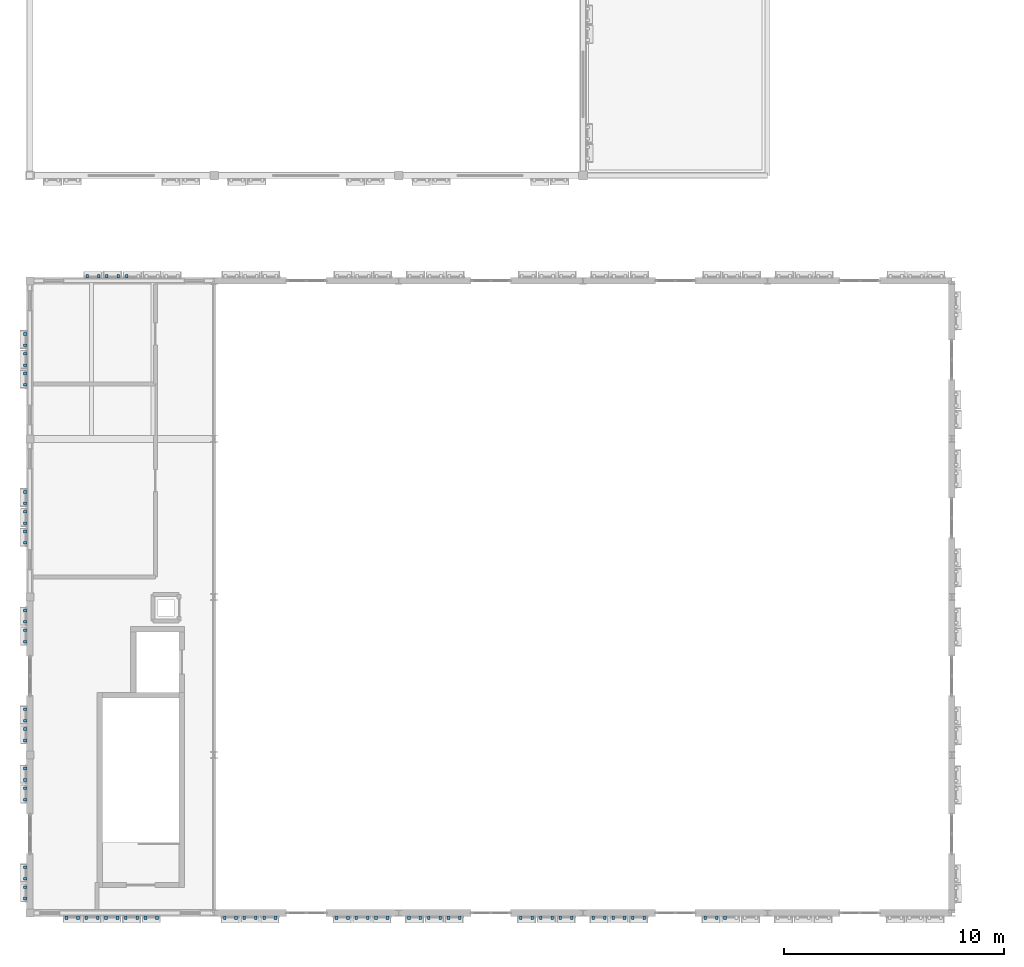
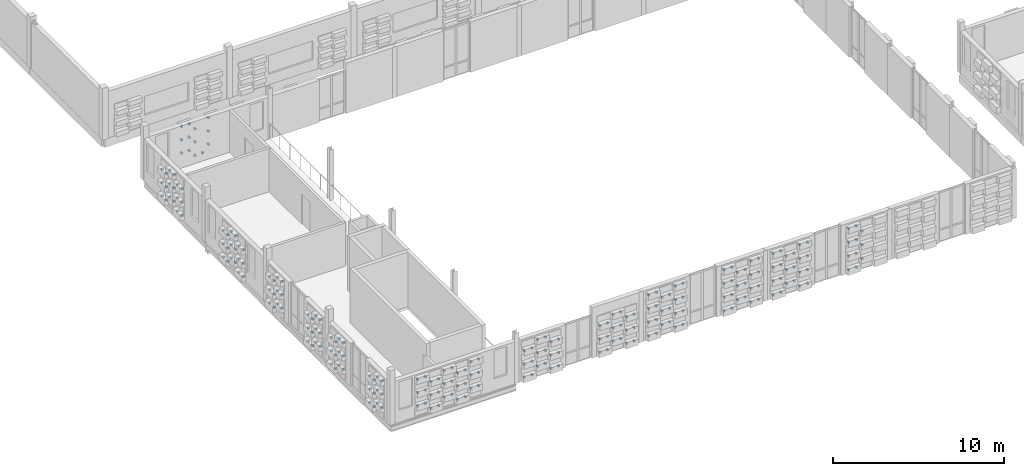
# One storey, part 45 of 57: 240 discrete accessories.
"""IFC4 building model written with IfcOpenShell, lengths in metres."""

from ifc_helpers import new_model, si_unit, direction, frame, origin, origin_2d, place, context, subcontext, project, spatial, rectangle, extrude, material, type_object, element, save


model = new_model("IFC4")

# Units and contexts
model_context = context("Model", 3, precision=1e-05, world=origin(), true_north=direction((0.0, 1.0)))
body_context = subcontext(model_context, "Body", "Model", "MODEL_VIEW")
ifc_project = project(units=[si_unit("LENGTHUNIT", "METRE"), si_unit("AREAUNIT", "SQUARE_METRE"), si_unit("VOLUMEUNIT", "CUBIC_METRE"), si_unit("PLANEANGLEUNIT", "RADIAN"), si_unit("MASSUNIT", "GRAM", prefix="KILO")], contexts=[model_context])

# Site, building, storey
site_placement = place(None, origin())
site = spatial("IfcSite", under=ifc_project, at=site_placement, CompositionType="ELEMENT")
building_placement = place(site_placement, origin())
building = spatial("IfcBuilding", under=site, at=building_placement, Name="Kahlenmark Community Centre", CompositionType="ELEMENT")
storey_placement = place(building_placement, frame((0.0, 0.0, 13.800048828125)))
storey = spatial("IfcBuildingStorey", under=building, at=storey_placement, Name="L03", CompositionType="ELEMENT", Elevation=13.800048828125)

# Discrete accessories
ifc_material = material(Name="Stainless steel 1.4401 rainscreen bracket", Category="steel")
discrete_accessory_type = type_object("IfcDiscreteAccessoryType", Name="DAT-BRACKET-TC", PredefinedType="BRACKET", material=ifc_material)
for number, where, z_axis, x_axis, name in (
    (1, (5.669921875, 8.590087890625, 0.732421875), (0.0, 0.0, 1.0), (1.0, 0.0, 0.0), "Terracotta cassette bracket 3377.1"),
    (2, (6.18994140625, 8.590087890625, 0.732421875), (0.0, 0.0, 1.0), (1.0, 0.0, 0.0), "Terracotta cassette bracket 3377.2"),
    (3, (5.669921875, 8.590087890625, 1.682373046875), (0.0, 0.0, 1.0), (1.0, 0.0, 0.0), "Terracotta cassette bracket 3379.1"),
    (4, (6.18994140625, 8.590087890625, 1.682373046875), (0.0, 0.0, 1.0), (1.0, 0.0, 0.0), "Terracotta cassette bracket 3379.2"),
    (5, (5.669921875, 8.590087890625, 2.63232421875), (0.0, 0.0, 1.0), (1.0, 0.0, 0.0), "Terracotta cassette bracket 3381.1"),
    (6, (6.18994140625, 8.590087890625, 2.63232421875), (0.0, 0.0, 1.0), (1.0, 0.0, 0.0), "Terracotta cassette bracket 3381.2"),
    (7, (6.570068359375, 8.590087890625, 0.25732421875), (0.0, 0.0, 1.0), (1.0, 0.0, 0.0), "Terracotta cassette bracket 3382.1"),
    (8, (7.090087890625, 8.590087890625, 0.25732421875), (0.0, 0.0, 1.0), (1.0, 0.0, 0.0), "Terracotta cassette bracket 3382.2"),
    (9, (6.570068359375, 8.590087890625, 1.207275390625), (0.0, 0.0, 1.0), (1.0, 0.0, 0.0), "Terracotta cassette bracket 3384.1"),
    (10, (7.090087890625, 8.590087890625, 1.207275390625), (0.0, 0.0, 1.0), (1.0, 0.0, 0.0), "Terracotta cassette bracket 3384.2"),
    (11, (6.570068359375, 8.590087890625, 2.157470703125), (0.0, 0.0, 1.0), (1.0, 0.0, 0.0), "Terracotta cassette bracket 3386.1"),
    (12, (7.090087890625, 8.590087890625, 2.157470703125), (0.0, 0.0, 1.0), (1.0, 0.0, 0.0), "Terracotta cassette bracket 3386.2"),
    (13, (7.469970703125, 8.590087890625, 0.732421875), (0.0, 0.0, 1.0), (1.0, 0.0, 0.0), "Terracotta cassette bracket 3389.1"),
    (14, (7.989990234375, 8.590087890625, 0.732421875), (0.0, 0.0, 1.0), (1.0, 0.0, 0.0), "Terracotta cassette bracket 3389.2"),
    (15, (7.469970703125, 8.590087890625, 1.682373046875), (0.0, 0.0, 1.0), (1.0, 0.0, 0.0), "Terracotta cassette bracket 3391.1"),
    (16, (7.989990234375, 8.590087890625, 1.682373046875), (0.0, 0.0, 1.0), (1.0, 0.0, 0.0), "Terracotta cassette bracket 3391.2"),
    (17, (7.469970703125, 8.590087890625, 2.63232421875), (0.0, 0.0, 1.0), (1.0, 0.0, 0.0), "Terracotta cassette bracket 3393.1"),
    (18, (7.989990234375, 8.590087890625, 2.63232421875), (0.0, 0.0, 1.0), (1.0, 0.0, 0.0), "Terracotta cassette bracket 3393.2"),
    (19, (8.3701171875, 8.590087890625, 0.25732421875), (0.0, 0.0, 1.0), (1.0, 0.0, 0.0), "Terracotta cassette bracket 3394.1"),
    (20, (8.889892578125, 8.590087890625, 0.25732421875), (0.0, 0.0, 1.0), (1.0, 0.0, 0.0), "Terracotta cassette bracket 3394.2"),
    (21, (8.3701171875, 8.590087890625, 1.207275390625), (0.0, 0.0, 1.0), (1.0, 0.0, 0.0), "Terracotta cassette bracket 3396.1"),
    (22, (8.889892578125, 8.590087890625, 1.207275390625), (0.0, 0.0, 1.0), (1.0, 0.0, 0.0), "Terracotta cassette bracket 3396.2"),
    (23, (8.3701171875, 8.590087890625, 2.157470703125), (0.0, 0.0, 1.0), (1.0, 0.0, 0.0), "Terracotta cassette bracket 3398.1"),
    (24, (8.889892578125, 8.590087890625, 2.157470703125), (0.0, 0.0, 1.0), (1.0, 0.0, 0.0), "Terracotta cassette bracket 3398.2"),
    (25, (9.27001953125, 8.590087890625, 0.732421875), (0.0, 0.0, 1.0), (1.0, 0.0, 0.0), "Terracotta cassette bracket 3401.1"),
    (26, (9.7900390625, 8.590087890625, 0.732421875), (0.0, 0.0, 1.0), (1.0, 0.0, 0.0), "Terracotta cassette bracket 3401.2"),
    (27, (9.27001953125, 8.590087890625, 1.682373046875), (0.0, 0.0, 1.0), (1.0, 0.0, 0.0), "Terracotta cassette bracket 3403.1"),
    (28, (9.7900390625, 8.590087890625, 1.682373046875), (0.0, 0.0, 1.0), (1.0, 0.0, 0.0), "Terracotta cassette bracket 3403.2"),
    (29, (9.27001953125, 8.590087890625, 2.63232421875), (0.0, 0.0, 1.0), (1.0, 0.0, 0.0), "Terracotta cassette bracket 3405.1"),
    (30, (9.7900390625, 8.590087890625, 2.63232421875), (0.0, 0.0, 1.0), (1.0, 0.0, 0.0), "Terracotta cassette bracket 3405.2"),
    (31, (12.8701171875, 8.590087890625, 0.25732421875), (0.0, 0.0, 1.0), (1.0, 0.0, 0.0), "Terracotta cassette bracket 3406.1"),
    (32, (13.389892578125, 8.590087890625, 0.25732421875), (0.0, 0.0, 1.0), (1.0, 0.0, 0.0), "Terracotta cassette bracket 3406.2"),
    (33, (12.8701171875, 8.590087890625, 1.207275390625), (0.0, 0.0, 1.0), (1.0, 0.0, 0.0), "Terracotta cassette bracket 3408.1"),
    (34, (13.389892578125, 8.590087890625, 1.207275390625), (0.0, 0.0, 1.0), (1.0, 0.0, 0.0), "Terracotta cassette bracket 3408.2"),
    (35, (12.8701171875, 8.590087890625, 2.157470703125), (0.0, 0.0, 1.0), (1.0, 0.0, 0.0), "Terracotta cassette bracket 3410.1"),
    (36, (13.389892578125, 8.590087890625, 2.157470703125), (0.0, 0.0, 1.0), (1.0, 0.0, 0.0), "Terracotta cassette bracket 3410.2"),
    (37, (13.77001953125, 8.590087890625, 0.732421875), (0.0, 0.0, 1.0), (1.0, 0.0, 0.0), "Terracotta cassette bracket 3413.1"),
    (38, (14.2900390625, 8.590087890625, 0.732421875), (0.0, 0.0, 1.0), (1.0, 0.0, 0.0), "Terracotta cassette bracket 3413.2"),
    (39, (13.77001953125, 8.590087890625, 1.682373046875), (0.0, 0.0, 1.0), (1.0, 0.0, 0.0), "Terracotta cassette bracket 3415.1"),
    (40, (14.2900390625, 8.590087890625, 1.682373046875), (0.0, 0.0, 1.0), (1.0, 0.0, 0.0), "Terracotta cassette bracket 3415.2"),
    (41, (13.77001953125, 8.590087890625, 2.63232421875), (0.0, 0.0, 1.0), (1.0, 0.0, 0.0), "Terracotta cassette bracket 3417.1"),
    (42, (14.2900390625, 8.590087890625, 2.63232421875), (0.0, 0.0, 1.0), (1.0, 0.0, 0.0), "Terracotta cassette bracket 3417.2"),
    (43, (14.669921875, 8.590087890625, 0.25732421875), (0.0, 0.0, 1.0), (1.0, 0.0, 0.0), "Terracotta cassette bracket 3418.1"),
    (44, (15.18994140625, 8.590087890625, 0.25732421875), (0.0, 0.0, 1.0), (1.0, 0.0, 0.0), "Terracotta cassette bracket 3418.2"),
    (45, (14.669921875, 8.590087890625, 1.207275390625), (0.0, 0.0, 1.0), (1.0, 0.0, 0.0), "Terracotta cassette bracket 3420.1"),
    (46, (15.18994140625, 8.590087890625, 1.207275390625), (0.0, 0.0, 1.0), (1.0, 0.0, 0.0), "Terracotta cassette bracket 3420.2"),
    (47, (14.669921875, 8.590087890625, 2.157470703125), (0.0, 0.0, 1.0), (1.0, 0.0, 0.0), "Terracotta cassette bracket 3422.1"),
    (48, (15.18994140625, 8.590087890625, 2.157470703125), (0.0, 0.0, 1.0), (1.0, 0.0, 0.0), "Terracotta cassette bracket 3422.2"),
    (49, (17.969970703125, 8.590087890625, 0.25732421875), (0.0, 0.0, 1.0), (1.0, 0.0, 0.0), "Terracotta cassette bracket 3424.1"),
    (50, (18.489990234375, 8.590087890625, 0.25732421875), (0.0, 0.0, 1.0), (1.0, 0.0, 0.0), "Terracotta cassette bracket 3424.2"),
    (51, (17.969970703125, 8.590087890625, 1.207275390625), (0.0, 0.0, 1.0), (1.0, 0.0, 0.0), "Terracotta cassette bracket 3426.1"),
    (52, (18.489990234375, 8.590087890625, 1.207275390625), (0.0, 0.0, 1.0), (1.0, 0.0, 0.0), "Terracotta cassette bracket 3426.2"),
    (53, (17.969970703125, 8.590087890625, 2.157470703125), (0.0, 0.0, 1.0), (1.0, 0.0, 0.0), "Terracotta cassette bracket 3428.1"),
    (54, (18.489990234375, 8.590087890625, 2.157470703125), (0.0, 0.0, 1.0), (1.0, 0.0, 0.0), "Terracotta cassette bracket 3428.2"),
    (55, (18.8701171875, 8.590087890625, 0.732421875), (0.0, 0.0, 1.0), (1.0, 0.0, 0.0), "Terracotta cassette bracket 3431.1"),
    (56, (19.389892578125, 8.590087890625, 0.732421875), (0.0, 0.0, 1.0), (1.0, 0.0, 0.0), "Terracotta cassette bracket 3431.2"),
    (57, (18.8701171875, 8.590087890625, 1.682373046875), (0.0, 0.0, 1.0), (1.0, 0.0, 0.0), "Terracotta cassette bracket 3433.1"),
    (58, (19.389892578125, 8.590087890625, 1.682373046875), (0.0, 0.0, 1.0), (1.0, 0.0, 0.0), "Terracotta cassette bracket 3433.2"),
    (59, (18.8701171875, 8.590087890625, 2.63232421875), (0.0, 0.0, 1.0), (1.0, 0.0, 0.0), "Terracotta cassette bracket 3435.1"),
    (60, (19.389892578125, 8.590087890625, 2.63232421875), (0.0, 0.0, 1.0), (1.0, 0.0, 0.0), "Terracotta cassette bracket 3435.2"),
    (61, (19.77001953125, 8.590087890625, 0.25732421875), (0.0, 0.0, 1.0), (1.0, 0.0, 0.0), "Terracotta cassette bracket 3436.1"),
    (62, (20.2900390625, 8.590087890625, 0.25732421875), (0.0, 0.0, 1.0), (1.0, 0.0, 0.0), "Terracotta cassette bracket 3436.2"),
    (63, (19.77001953125, 8.590087890625, 1.207275390625), (0.0, 0.0, 1.0), (1.0, 0.0, 0.0), "Terracotta cassette bracket 3438.1"),
    (64, (20.2900390625, 8.590087890625, 1.207275390625), (0.0, 0.0, 1.0), (1.0, 0.0, 0.0), "Terracotta cassette bracket 3438.2"),
    (65, (19.77001953125, 8.590087890625, 2.157470703125), (0.0, 0.0, 1.0), (1.0, 0.0, 0.0), "Terracotta cassette bracket 3440.1"),
    (66, (20.2900390625, 8.590087890625, 2.157470703125), (0.0, 0.0, 1.0), (1.0, 0.0, 0.0), "Terracotta cassette bracket 3440.2"),
    (67, (21.27001953125, 8.590087890625, 0.264892578125), (0.0, 0.0, 1.0), (1.0, 0.0, 0.0), "Terracotta cassette bracket 3442.1"),
    (68, (21.7900390625, 8.590087890625, 0.264892578125), (0.0, 0.0, 1.0), (1.0, 0.0, 0.0), "Terracotta cassette bracket 3442.2"),
    (69, (21.27001953125, 8.590087890625, 1.244873046875), (0.0, 0.0, 1.0), (1.0, 0.0, 0.0), "Terracotta cassette bracket 3444.1"),
    (70, (21.7900390625, 8.590087890625, 1.244873046875), (0.0, 0.0, 1.0), (1.0, 0.0, 0.0), "Terracotta cassette bracket 3444.2"),
    (71, (21.27001953125, 8.590087890625, 2.224853515625), (0.0, 0.0, 1.0), (1.0, 0.0, 0.0), "Terracotta cassette bracket 3446.1"),
    (72, (21.7900390625, 8.590087890625, 2.224853515625), (0.0, 0.0, 1.0), (1.0, 0.0, 0.0), "Terracotta cassette bracket 3446.2"),
    (73, (21.27001953125, 8.590087890625, 3.204833984375), (0.0, 0.0, 1.0), (1.0, 0.0, 0.0), "Terracotta cassette bracket 3448.1"),
    (74, (21.7900390625, 8.590087890625, 3.204833984375), (0.0, 0.0, 1.0), (1.0, 0.0, 0.0), "Terracotta cassette bracket 3448.2"),
    (75, (22.169921875, 8.590087890625, 0.7548828125), (0.0, 0.0, 1.0), (1.0, 0.0, 0.0), "Terracotta cassette bracket 3450.1"),
    (76, (22.68994140625, 8.590087890625, 0.7548828125), (0.0, 0.0, 1.0), (1.0, 0.0, 0.0), "Terracotta cassette bracket 3450.2"),
    (77, (22.169921875, 8.590087890625, 1.73486328125), (0.0, 0.0, 1.0), (1.0, 0.0, 0.0), "Terracotta cassette bracket 3452.1"),
    (78, (22.68994140625, 8.590087890625, 1.73486328125), (0.0, 0.0, 1.0), (1.0, 0.0, 0.0), "Terracotta cassette bracket 3452.2"),
    (79, (22.169921875, 8.590087890625, 2.71484375), (0.0, 0.0, 1.0), (1.0, 0.0, 0.0), "Terracotta cassette bracket 3454.1"),
    (80, (22.68994140625, 8.590087890625, 2.71484375), (0.0, 0.0, 1.0), (1.0, 0.0, 0.0), "Terracotta cassette bracket 3454.2"),
    (81, (23.070068359375, 8.590087890625, 0.264892578125), (0.0, 0.0, 1.0), (1.0, 0.0, 0.0), "Terracotta cassette bracket 3456.1"),
    (82, (23.590087890625, 8.590087890625, 0.264892578125), (0.0, 0.0, 1.0), (1.0, 0.0, 0.0), "Terracotta cassette bracket 3456.2"),
    (83, (23.070068359375, 8.590087890625, 1.244873046875), (0.0, 0.0, 1.0), (1.0, 0.0, 0.0), "Terracotta cassette bracket 3458.1"),
    (84, (23.590087890625, 8.590087890625, 1.244873046875), (0.0, 0.0, 1.0), (1.0, 0.0, 0.0), "Terracotta cassette bracket 3458.2"),
    (85, (23.070068359375, 8.590087890625, 2.224853515625), (0.0, 0.0, 1.0), (1.0, 0.0, 0.0), "Terracotta cassette bracket 3460.1"),
    (86, (23.590087890625, 8.590087890625, 2.224853515625), (0.0, 0.0, 1.0), (1.0, 0.0, 0.0), "Terracotta cassette bracket 3460.2"),
    (87, (23.070068359375, 8.590087890625, 3.204833984375), (0.0, 0.0, 1.0), (1.0, 0.0, 0.0), "Terracotta cassette bracket 3462.1"),
    (88, (23.590087890625, 8.590087890625, 3.204833984375), (0.0, 0.0, 1.0), (1.0, 0.0, 0.0), "Terracotta cassette bracket 3462.2"),
    (89, (26.3701171875, 8.590087890625, 0.264892578125), (0.0, 0.0, 1.0), (1.0, 0.0, 0.0), "Terracotta cassette bracket 3463.1"),
    (90, (26.889892578125, 8.590087890625, 0.264892578125), (0.0, 0.0, 1.0), (1.0, 0.0, 0.0), "Terracotta cassette bracket 3463.2"),
    (91, (26.3701171875, 8.590087890625, 1.244873046875), (0.0, 0.0, 1.0), (1.0, 0.0, 0.0), "Terracotta cassette bracket 3465.1"),
    (92, (26.889892578125, 8.590087890625, 1.244873046875), (0.0, 0.0, 1.0), (1.0, 0.0, 0.0), "Terracotta cassette bracket 3465.2"),
    (93, (26.3701171875, 8.590087890625, 2.224853515625), (0.0, 0.0, 1.0), (1.0, 0.0, 0.0), "Terracotta cassette bracket 3467.1"),
    (94, (26.889892578125, 8.590087890625, 2.224853515625), (0.0, 0.0, 1.0), (1.0, 0.0, 0.0), "Terracotta cassette bracket 3467.2"),
    (95, (26.3701171875, 8.590087890625, 3.204833984375), (0.0, 0.0, 1.0), (1.0, 0.0, 0.0), "Terracotta cassette bracket 3469.1"),
    (96, (26.889892578125, 8.590087890625, 3.204833984375), (0.0, 0.0, 1.0), (1.0, 0.0, 0.0), "Terracotta cassette bracket 3469.2"),
    (97, (27.27001953125, 8.590087890625, 0.7548828125), (0.0, 0.0, 1.0), (1.0, 0.0, 0.0), "Terracotta cassette bracket 3471.1"),
    (98, (27.7900390625, 8.590087890625, 0.7548828125), (0.0, 0.0, 1.0), (1.0, 0.0, 0.0), "Terracotta cassette bracket 3471.2"),
    (99, (27.27001953125, 8.590087890625, 1.73486328125), (0.0, 0.0, 1.0), (1.0, 0.0, 0.0), "Terracotta cassette bracket 3473.1"),
    (100, (27.7900390625, 8.590087890625, 1.73486328125), (0.0, 0.0, 1.0), (1.0, 0.0, 0.0), "Terracotta cassette bracket 3473.2"),
    (101, (27.27001953125, 8.590087890625, 2.71484375), (0.0, 0.0, 1.0), (1.0, 0.0, 0.0), "Terracotta cassette bracket 3475.1"),
    (102, (27.7900390625, 8.590087890625, 2.71484375), (0.0, 0.0, 1.0), (1.0, 0.0, 0.0), "Terracotta cassette bracket 3475.2"),
    (103, (28.169921875, 8.590087890625, 0.264892578125), (0.0, 0.0, 1.0), (1.0, 0.0, 0.0), "Terracotta cassette bracket 3477.1"),
    (104, (28.68994140625, 8.590087890625, 0.264892578125), (0.0, 0.0, 1.0), (1.0, 0.0, 0.0), "Terracotta cassette bracket 3477.2"),
    (105, (28.169921875, 8.590087890625, 1.244873046875), (0.0, 0.0, 1.0), (1.0, 0.0, 0.0), "Terracotta cassette bracket 3479.1"),
    (106, (28.68994140625, 8.590087890625, 1.244873046875), (0.0, 0.0, 1.0), (1.0, 0.0, 0.0), "Terracotta cassette bracket 3479.2"),
    (107, (28.169921875, 8.590087890625, 2.224853515625), (0.0, 0.0, 1.0), (1.0, 0.0, 0.0), "Terracotta cassette bracket 3481.1"),
    (108, (28.68994140625, 8.590087890625, 2.224853515625), (0.0, 0.0, 1.0), (1.0, 0.0, 0.0), "Terracotta cassette bracket 3481.2"),
    (109, (28.169921875, 8.590087890625, 3.204833984375), (0.0, 0.0, 1.0), (1.0, 0.0, 0.0), "Terracotta cassette bracket 3483.1"),
    (110, (28.68994140625, 8.590087890625, 3.204833984375), (0.0, 0.0, 1.0), (1.0, 0.0, 0.0), "Terracotta cassette bracket 3483.2"),
    (111, (29.669921875, 8.590087890625, 0.264892578125), (0.0, 0.0, 1.0), (1.0, 0.0, 0.0), "Terracotta cassette bracket 3484.1"),
    (112, (30.18994140625, 8.590087890625, 0.264892578125), (0.0, 0.0, 1.0), (1.0, 0.0, 0.0), "Terracotta cassette bracket 3484.2"),
    (113, (29.669921875, 8.590087890625, 1.244873046875), (0.0, 0.0, 1.0), (1.0, 0.0, 0.0), "Terracotta cassette bracket 3486.1"),
    (114, (30.18994140625, 8.590087890625, 1.244873046875), (0.0, 0.0, 1.0), (1.0, 0.0, 0.0), "Terracotta cassette bracket 3486.2"),
    (115, (29.669921875, 8.590087890625, 2.224853515625), (0.0, 0.0, 1.0), (1.0, 0.0, 0.0), "Terracotta cassette bracket 3488.1"),
    (116, (30.18994140625, 8.590087890625, 2.224853515625), (0.0, 0.0, 1.0), (1.0, 0.0, 0.0), "Terracotta cassette bracket 3488.2"),
    (117, (29.669921875, 8.590087890625, 3.204833984375), (0.0, 0.0, 1.0), (1.0, 0.0, 0.0), "Terracotta cassette bracket 3490.1"),
    (118, (30.18994140625, 8.590087890625, 3.204833984375), (0.0, 0.0, 1.0), (1.0, 0.0, 0.0), "Terracotta cassette bracket 3490.2"),
    (119, (30.570068359375, 8.590087890625, 0.7548828125), (0.0, 0.0, 1.0), (1.0, 0.0, 0.0), "Terracotta cassette bracket 3492.1"),
    (120, (31.090087890625, 8.590087890625, 0.7548828125), (0.0, 0.0, 1.0), (1.0, 0.0, 0.0), "Terracotta cassette bracket 3492.2"),
    (121, (30.570068359375, 8.590087890625, 1.73486328125), (0.0, 0.0, 1.0), (1.0, 0.0, 0.0), "Terracotta cassette bracket 3494.1"),
    (122, (31.090087890625, 8.590087890625, 1.73486328125), (0.0, 0.0, 1.0), (1.0, 0.0, 0.0), "Terracotta cassette bracket 3494.2"),
    (123, (30.570068359375, 8.590087890625, 2.71484375), (0.0, 0.0, 1.0), (1.0, 0.0, 0.0), "Terracotta cassette bracket 3496.1"),
    (124, (31.090087890625, 8.590087890625, 2.71484375), (0.0, 0.0, 1.0), (1.0, 0.0, 0.0), "Terracotta cassette bracket 3496.2"),
    (125, (31.469970703125, 8.590087890625, 0.264892578125), (0.0, 0.0, 1.0), (1.0, 0.0, 0.0), "Terracotta cassette bracket 3498.1"),
    (126, (31.989990234375, 8.590087890625, 0.264892578125), (0.0, 0.0, 1.0), (1.0, 0.0, 0.0), "Terracotta cassette bracket 3498.2"),
    (127, (31.469970703125, 8.590087890625, 1.244873046875), (0.0, 0.0, 1.0), (1.0, 0.0, 0.0), "Terracotta cassette bracket 3500.1"),
    (128, (31.989990234375, 8.590087890625, 1.244873046875), (0.0, 0.0, 1.0), (1.0, 0.0, 0.0), "Terracotta cassette bracket 3500.2"),
    (129, (31.469970703125, 8.590087890625, 2.224853515625), (0.0, 0.0, 1.0), (1.0, 0.0, 0.0), "Terracotta cassette bracket 3502.1"),
    (130, (31.989990234375, 8.590087890625, 2.224853515625), (0.0, 0.0, 1.0), (1.0, 0.0, 0.0), "Terracotta cassette bracket 3502.2"),
    (131, (31.469970703125, 8.590087890625, 3.204833984375), (0.0, 0.0, 1.0), (1.0, 0.0, 0.0), "Terracotta cassette bracket 3504.1"),
    (132, (31.989990234375, 8.590087890625, 3.204833984375), (0.0, 0.0, 1.0), (1.0, 0.0, 0.0), "Terracotta cassette bracket 3504.2"),
    (133, (34.77001953125, 8.590087890625, 0.264892578125), (0.0, 0.0, 1.0), (1.0, 0.0, 0.0), "Terracotta cassette bracket 3505.1"),
    (134, (35.2900390625, 8.590087890625, 0.264892578125), (0.0, 0.0, 1.0), (1.0, 0.0, 0.0), "Terracotta cassette bracket 3505.2"),
    (135, (34.77001953125, 8.590087890625, 1.244873046875), (0.0, 0.0, 1.0), (1.0, 0.0, 0.0), "Terracotta cassette bracket 3507.1"),
    (136, (35.2900390625, 8.590087890625, 1.244873046875), (0.0, 0.0, 1.0), (1.0, 0.0, 0.0), "Terracotta cassette bracket 3507.2"),
    (137, (34.77001953125, 8.590087890625, 2.224853515625), (0.0, 0.0, 1.0), (1.0, 0.0, 0.0), "Terracotta cassette bracket 3509.1"),
    (138, (35.2900390625, 8.590087890625, 2.224853515625), (0.0, 0.0, 1.0), (1.0, 0.0, 0.0), "Terracotta cassette bracket 3509.2"),
    (139, (34.77001953125, 8.590087890625, 3.204833984375), (0.0, 0.0, 1.0), (1.0, 0.0, 0.0), "Terracotta cassette bracket 3511.1"),
    (140, (35.2900390625, 8.590087890625, 3.204833984375), (0.0, 0.0, 1.0), (1.0, 0.0, 0.0), "Terracotta cassette bracket 3511.2"),
    (141, (35.669921875, 8.590087890625, 0.7548828125), (0.0, 0.0, 1.0), (1.0, 0.0, 0.0), "Terracotta cassette bracket 3513.1"),
    (142, (35.669921875, 8.590087890625, 1.73486328125), (0.0, 0.0, 1.0), (1.0, 0.0, 0.0), "Terracotta cassette bracket 3515.1"),
    (143, (35.669921875, 8.590087890625, 2.71484375), (0.0, 0.0, 1.0), (1.0, 0.0, 0.0), "Terracotta cassette bracket 3517.1"),
    (144, (8.409912109375, 37.81005859375, 0.732421875), (0.0, 0.0, 1.0), (-1.0, 0.0, 0.0), "Terracotta cassette bracket 3581.2"),
    (145, (8.409912109375, 37.81005859375, 1.682373046875), (0.0, 0.0, 1.0), (-1.0, 0.0, 0.0), "Terracotta cassette bracket 3583.2"),
    (146, (8.409912109375, 37.81005859375, 2.63232421875), (0.0, 0.0, 1.0), (-1.0, 0.0, 0.0), "Terracotta cassette bracket 3585.2"),
    (147, (8.030029296875, 37.81005859375, 0.25732421875), (0.0, 0.0, 1.0), (-1.0, 0.0, 0.0), "Terracotta cassette bracket 3586.1"),
    (148, (7.510009765625, 37.81005859375, 0.25732421875), (0.0, 0.0, 1.0), (-1.0, 0.0, 0.0), "Terracotta cassette bracket 3586.2"),
    (149, (7.510009765625, 37.81005859375, 1.207275390625), (0.0, 0.0, 1.0), (-1.0, 0.0, 0.0), "Terracotta cassette bracket 3588.2"),
    (150, (7.510009765625, 37.81005859375, 2.157470703125), (0.0, 0.0, 1.0), (-1.0, 0.0, 0.0), "Terracotta cassette bracket 3590.2"),
    (151, (7.1298828125, 37.81005859375, 0.732421875), (0.0, 0.0, 1.0), (-1.0, 0.0, 0.0), "Terracotta cassette bracket 3593.1"),
    (152, (6.610107421875, 37.81005859375, 0.732421875), (0.0, 0.0, 1.0), (-1.0, 0.0, 0.0), "Terracotta cassette bracket 3593.2"),
    (153, (7.1298828125, 37.81005859375, 1.682373046875), (0.0, 0.0, 1.0), (-1.0, 0.0, 0.0), "Terracotta cassette bracket 3595.1"),
    (154, (6.610107421875, 37.81005859375, 1.682373046875), (0.0, 0.0, 1.0), (-1.0, 0.0, 0.0), "Terracotta cassette bracket 3595.2"),
    (155, (7.1298828125, 37.81005859375, 2.63232421875), (0.0, 0.0, 1.0), (-1.0, 0.0, 0.0), "Terracotta cassette bracket 3597.1"),
    (156, (6.610107421875, 37.81005859375, 2.63232421875), (0.0, 0.0, 1.0), (-1.0, 0.0, 0.0), "Terracotta cassette bracket 3597.2"),
    (157, (3.7900390625, 15.3798828125, 0.25732421875), (0.0, 0.0, 1.0), (0.0, -1.0, 0.0), "Terracotta cassette bracket 3760.1"),
    (158, (3.7900390625, 14.860107421875, 0.25732421875), (0.0, 0.0, 1.0), (0.0, -1.0, 0.0), "Terracotta cassette bracket 3760.2"),
    (159, (3.7900390625, 15.3798828125, 1.207275390625), (0.0, 0.0, 1.0), (0.0, -1.0, 0.0), "Terracotta cassette bracket 3762.1"),
    (160, (3.7900390625, 14.860107421875, 1.207275390625), (0.0, 0.0, 1.0), (0.0, -1.0, 0.0), "Terracotta cassette bracket 3762.2"),
    (161, (3.7900390625, 15.3798828125, 2.157470703125), (0.0, 0.0, 1.0), (0.0, -1.0, 0.0), "Terracotta cassette bracket 3764.1"),
    (162, (3.7900390625, 14.860107421875, 2.157470703125), (0.0, 0.0, 1.0), (0.0, -1.0, 0.0), "Terracotta cassette bracket 3764.2"),
    (163, (3.7900390625, 14.47998046875, 0.732421875), (0.0, 0.0, 1.0), (0.0, -1.0, 0.0), "Terracotta cassette bracket 3767.1"),
    (164, (3.7900390625, 13.9599609375, 0.732421875), (0.0, 0.0, 1.0), (0.0, -1.0, 0.0), "Terracotta cassette bracket 3767.2"),
    (165, (3.7900390625, 14.47998046875, 1.682373046875), (0.0, 0.0, 1.0), (0.0, -1.0, 0.0), "Terracotta cassette bracket 3769.1"),
    (166, (3.7900390625, 13.9599609375, 1.682373046875), (0.0, 0.0, 1.0), (0.0, -1.0, 0.0), "Terracotta cassette bracket 3769.2"),
    (167, (3.7900390625, 14.47998046875, 2.63232421875), (0.0, 0.0, 1.0), (0.0, -1.0, 0.0), "Terracotta cassette bracket 3771.1"),
    (168, (3.7900390625, 13.9599609375, 2.63232421875), (0.0, 0.0, 1.0), (0.0, -1.0, 0.0), "Terracotta cassette bracket 3771.2"),
    (169, (3.7900390625, 10.8798828125, 0.25732421875), (0.0, 0.0, 1.0), (0.0, -1.0, 0.0), "Terracotta cassette bracket 3772.1"),
    (170, (3.7900390625, 10.360107421875, 0.25732421875), (0.0, 0.0, 1.0), (0.0, -1.0, 0.0), "Terracotta cassette bracket 3772.2"),
    (171, (3.7900390625, 10.8798828125, 1.207275390625), (0.0, 0.0, 1.0), (0.0, -1.0, 0.0), "Terracotta cassette bracket 3774.1"),
    (172, (3.7900390625, 10.360107421875, 1.207275390625), (0.0, 0.0, 1.0), (0.0, -1.0, 0.0), "Terracotta cassette bracket 3774.2"),
    (173, (3.7900390625, 10.8798828125, 2.157470703125), (0.0, 0.0, 1.0), (0.0, -1.0, 0.0), "Terracotta cassette bracket 3776.1"),
    (174, (3.7900390625, 10.360107421875, 2.157470703125), (0.0, 0.0, 1.0), (0.0, -1.0, 0.0), "Terracotta cassette bracket 3776.2"),
    (175, (3.7900390625, 9.97998046875, 0.732421875), (0.0, 0.0, 1.0), (0.0, -1.0, 0.0), "Terracotta cassette bracket 3779.1"),
    (176, (3.7900390625, 9.4599609375, 0.732421875), (0.0, 0.0, 1.0), (0.0, -1.0, 0.0), "Terracotta cassette bracket 3779.2"),
    (177, (3.7900390625, 9.97998046875, 1.682373046875), (0.0, 0.0, 1.0), (0.0, -1.0, 0.0), "Terracotta cassette bracket 3781.1"),
    (178, (3.7900390625, 9.4599609375, 1.682373046875), (0.0, 0.0, 1.0), (0.0, -1.0, 0.0), "Terracotta cassette bracket 3781.2"),
    (179, (3.7900390625, 9.97998046875, 2.63232421875), (0.0, 0.0, 1.0), (0.0, -1.0, 0.0), "Terracotta cassette bracket 3783.1"),
    (180, (3.7900390625, 9.4599609375, 2.63232421875), (0.0, 0.0, 1.0), (0.0, -1.0, 0.0), "Terracotta cassette bracket 3783.2"),
    (181, (3.7900390625, 22.580078125, 0.25732421875), (0.0, 0.0, 1.0), (0.0, -1.0, 0.0), "Terracotta cassette bracket 3784.1"),
    (182, (3.7900390625, 22.06005859375, 0.25732421875), (0.0, 0.0, 1.0), (0.0, -1.0, 0.0), "Terracotta cassette bracket 3784.2"),
    (183, (3.7900390625, 22.580078125, 1.207275390625), (0.0, 0.0, 1.0), (0.0, -1.0, 0.0), "Terracotta cassette bracket 3786.1"),
    (184, (3.7900390625, 22.06005859375, 1.207275390625), (0.0, 0.0, 1.0), (0.0, -1.0, 0.0), "Terracotta cassette bracket 3786.2"),
    (185, (3.7900390625, 22.580078125, 2.157470703125), (0.0, 0.0, 1.0), (0.0, -1.0, 0.0), "Terracotta cassette bracket 3788.1"),
    (186, (3.7900390625, 22.06005859375, 2.157470703125), (0.0, 0.0, 1.0), (0.0, -1.0, 0.0), "Terracotta cassette bracket 3788.2"),
    (187, (3.7900390625, 21.679931640625, 0.732421875), (0.0, 0.0, 1.0), (0.0, -1.0, 0.0), "Terracotta cassette bracket 3791.1"),
    (188, (3.7900390625, 21.159912109375, 0.732421875), (0.0, 0.0, 1.0), (0.0, -1.0, 0.0), "Terracotta cassette bracket 3791.2"),
    (189, (3.7900390625, 21.679931640625, 1.682373046875), (0.0, 0.0, 1.0), (0.0, -1.0, 0.0), "Terracotta cassette bracket 3793.1"),
    (190, (3.7900390625, 21.159912109375, 1.682373046875), (0.0, 0.0, 1.0), (0.0, -1.0, 0.0), "Terracotta cassette bracket 3793.2"),
    (191, (3.7900390625, 21.679931640625, 2.63232421875), (0.0, 0.0, 1.0), (0.0, -1.0, 0.0), "Terracotta cassette bracket 3795.1"),
    (192, (3.7900390625, 21.159912109375, 2.63232421875), (0.0, 0.0, 1.0), (0.0, -1.0, 0.0), "Terracotta cassette bracket 3795.2"),
    (193, (3.7900390625, 18.080078125, 0.25732421875), (0.0, 0.0, 1.0), (0.0, -1.0, 0.0), "Terracotta cassette bracket 3796.1"),
    (194, (3.7900390625, 17.56005859375, 0.25732421875), (0.0, 0.0, 1.0), (0.0, -1.0, 0.0), "Terracotta cassette bracket 3796.2"),
    (195, (3.7900390625, 18.080078125, 1.207275390625), (0.0, 0.0, 1.0), (0.0, -1.0, 0.0), "Terracotta cassette bracket 3798.1"),
    (196, (3.7900390625, 17.56005859375, 1.207275390625), (0.0, 0.0, 1.0), (0.0, -1.0, 0.0), "Terracotta cassette bracket 3798.2"),
    (197, (3.7900390625, 18.080078125, 2.157470703125), (0.0, 0.0, 1.0), (0.0, -1.0, 0.0), "Terracotta cassette bracket 3800.1"),
    (198, (3.7900390625, 17.56005859375, 2.157470703125), (0.0, 0.0, 1.0), (0.0, -1.0, 0.0), "Terracotta cassette bracket 3800.2"),
    (199, (3.7900390625, 17.179931640625, 0.732421875), (0.0, 0.0, 1.0), (0.0, -1.0, 0.0), "Terracotta cassette bracket 3803.1"),
    (200, (3.7900390625, 16.659912109375, 0.732421875), (0.0, 0.0, 1.0), (0.0, -1.0, 0.0), "Terracotta cassette bracket 3803.2"),
    (201, (3.7900390625, 17.179931640625, 1.682373046875), (0.0, 0.0, 1.0), (0.0, -1.0, 0.0), "Terracotta cassette bracket 3805.1"),
    (202, (3.7900390625, 16.659912109375, 1.682373046875), (0.0, 0.0, 1.0), (0.0, -1.0, 0.0), "Terracotta cassette bracket 3805.2"),
    (203, (3.7900390625, 17.179931640625, 2.63232421875), (0.0, 0.0, 1.0), (0.0, -1.0, 0.0), "Terracotta cassette bracket 3807.1"),
    (204, (3.7900390625, 16.659912109375, 2.63232421875), (0.0, 0.0, 1.0), (0.0, -1.0, 0.0), "Terracotta cassette bracket 3807.2"),
    (205, (3.7900390625, 27.97998046875, 0.25732421875), (0.0, 0.0, 1.0), (0.0, -1.0, 0.0), "Terracotta cassette bracket 3808.1"),
    (206, (3.7900390625, 27.4599609375, 0.25732421875), (0.0, 0.0, 1.0), (0.0, -1.0, 0.0), "Terracotta cassette bracket 3808.2"),
    (207, (3.7900390625, 27.97998046875, 1.207275390625), (0.0, 0.0, 1.0), (0.0, -1.0, 0.0), "Terracotta cassette bracket 3810.1"),
    (208, (3.7900390625, 27.4599609375, 1.207275390625), (0.0, 0.0, 1.0), (0.0, -1.0, 0.0), "Terracotta cassette bracket 3810.2"),
    (209, (3.7900390625, 27.97998046875, 2.157470703125), (0.0, 0.0, 1.0), (0.0, -1.0, 0.0), "Terracotta cassette bracket 3812.1"),
    (210, (3.7900390625, 27.4599609375, 2.157470703125), (0.0, 0.0, 1.0), (0.0, -1.0, 0.0), "Terracotta cassette bracket 3812.2"),
    (211, (3.7900390625, 27.080078125, 0.732421875), (0.0, 0.0, 1.0), (0.0, -1.0, 0.0), "Terracotta cassette bracket 3815.1"),
    (212, (3.7900390625, 26.56005859375, 0.732421875), (0.0, 0.0, 1.0), (0.0, -1.0, 0.0), "Terracotta cassette bracket 3815.2"),
    (213, (3.7900390625, 27.080078125, 1.682373046875), (0.0, 0.0, 1.0), (0.0, -1.0, 0.0), "Terracotta cassette bracket 3817.1"),
    (214, (3.7900390625, 26.56005859375, 1.682373046875), (0.0, 0.0, 1.0), (0.0, -1.0, 0.0), "Terracotta cassette bracket 3817.2"),
    (215, (3.7900390625, 27.080078125, 2.63232421875), (0.0, 0.0, 1.0), (0.0, -1.0, 0.0), "Terracotta cassette bracket 3819.1"),
    (216, (3.7900390625, 26.56005859375, 2.63232421875), (0.0, 0.0, 1.0), (0.0, -1.0, 0.0), "Terracotta cassette bracket 3819.2"),
    (217, (3.7900390625, 26.179931640625, 0.25732421875), (0.0, 0.0, 1.0), (0.0, -1.0, 0.0), "Terracotta cassette bracket 3820.1"),
    (218, (3.7900390625, 25.659912109375, 0.25732421875), (0.0, 0.0, 1.0), (0.0, -1.0, 0.0), "Terracotta cassette bracket 3820.2"),
    (219, (3.7900390625, 26.179931640625, 1.207275390625), (0.0, 0.0, 1.0), (0.0, -1.0, 0.0), "Terracotta cassette bracket 3822.1"),
    (220, (3.7900390625, 25.659912109375, 1.207275390625), (0.0, 0.0, 1.0), (0.0, -1.0, 0.0), "Terracotta cassette bracket 3822.2"),
    (221, (3.7900390625, 26.179931640625, 2.157470703125), (0.0, 0.0, 1.0), (0.0, -1.0, 0.0), "Terracotta cassette bracket 3824.1"),
    (222, (3.7900390625, 25.659912109375, 2.157470703125), (0.0, 0.0, 1.0), (0.0, -1.0, 0.0), "Terracotta cassette bracket 3824.2"),
    (223, (3.7900390625, 35.179931640625, 0.25732421875), (0.0, 0.0, 1.0), (0.0, -1.0, 0.0), "Terracotta cassette bracket 3826.1"),
    (224, (3.7900390625, 34.659912109375, 0.25732421875), (0.0, 0.0, 1.0), (0.0, -1.0, 0.0), "Terracotta cassette bracket 3826.2"),
    (225, (3.7900390625, 35.179931640625, 1.207275390625), (0.0, 0.0, 1.0), (0.0, -1.0, 0.0), "Terracotta cassette bracket 3828.1"),
    (226, (3.7900390625, 34.659912109375, 1.207275390625), (0.0, 0.0, 1.0), (0.0, -1.0, 0.0), "Terracotta cassette bracket 3828.2"),
    (227, (3.7900390625, 35.179931640625, 2.157470703125), (0.0, 0.0, 1.0), (0.0, -1.0, 0.0), "Terracotta cassette bracket 3830.1"),
    (228, (3.7900390625, 34.659912109375, 2.157470703125), (0.0, 0.0, 1.0), (0.0, -1.0, 0.0), "Terracotta cassette bracket 3830.2"),
    (229, (3.7900390625, 34.280029296875, 0.732421875), (0.0, 0.0, 1.0), (0.0, -1.0, 0.0), "Terracotta cassette bracket 3833.1"),
    (230, (3.7900390625, 33.760009765625, 0.732421875), (0.0, 0.0, 1.0), (0.0, -1.0, 0.0), "Terracotta cassette bracket 3833.2"),
    (231, (3.7900390625, 34.280029296875, 1.682373046875), (0.0, 0.0, 1.0), (0.0, -1.0, 0.0), "Terracotta cassette bracket 3835.1"),
    (232, (3.7900390625, 33.760009765625, 1.682373046875), (0.0, 0.0, 1.0), (0.0, -1.0, 0.0), "Terracotta cassette bracket 3835.2"),
    (233, (3.7900390625, 34.280029296875, 2.63232421875), (0.0, 0.0, 1.0), (0.0, -1.0, 0.0), "Terracotta cassette bracket 3837.1"),
    (234, (3.7900390625, 33.760009765625, 2.63232421875), (0.0, 0.0, 1.0), (0.0, -1.0, 0.0), "Terracotta cassette bracket 3837.2"),
    (235, (3.7900390625, 33.3798828125, 0.25732421875), (0.0, 0.0, 1.0), (0.0, -1.0, 0.0), "Terracotta cassette bracket 3838.1"),
    (236, (3.7900390625, 32.860107421875, 0.25732421875), (0.0, 0.0, 1.0), (0.0, -1.0, 0.0), "Terracotta cassette bracket 3838.2"),
    (237, (3.7900390625, 33.3798828125, 1.207275390625), (0.0, 0.0, 1.0), (0.0, -1.0, 0.0), "Terracotta cassette bracket 3840.1"),
    (238, (3.7900390625, 32.860107421875, 1.207275390625), (0.0, 0.0, 1.0), (0.0, -1.0, 0.0), "Terracotta cassette bracket 3840.2"),
    (239, (3.7900390625, 33.3798828125, 2.157470703125), (0.0, 0.0, 1.0), (0.0, -1.0, 0.0), "Terracotta cassette bracket 3842.1"),
    (240, (3.7900390625, 32.860107421875, 2.157470703125), (0.0, 0.0, 1.0), (0.0, -1.0, 0.0), "Terracotta cassette bracket 3842.2"),
):
    element("IfcDiscreteAccessory", number, at=place(storey_placement, frame(where, z_axis=z_axis, x_axis=x_axis)), inside=storey, type_object=discrete_accessory_type, Name=name, PredefinedType="BRACKET", context=body_context, shape_type="SweptSolid", body=[
        extrude(rectangle(XDim=0.1201171875, YDim=0.159912109375, at=origin_2d()), origin(), (0.0, 0.0, 1.0), 0.1201171875),
    ])

save(model, "model.ifc")
